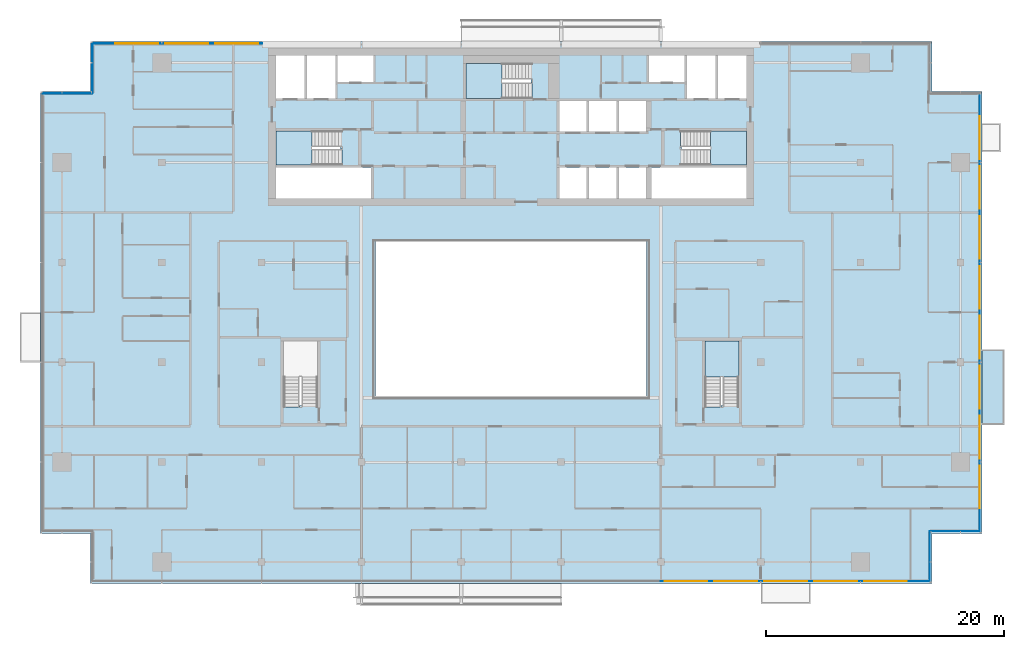
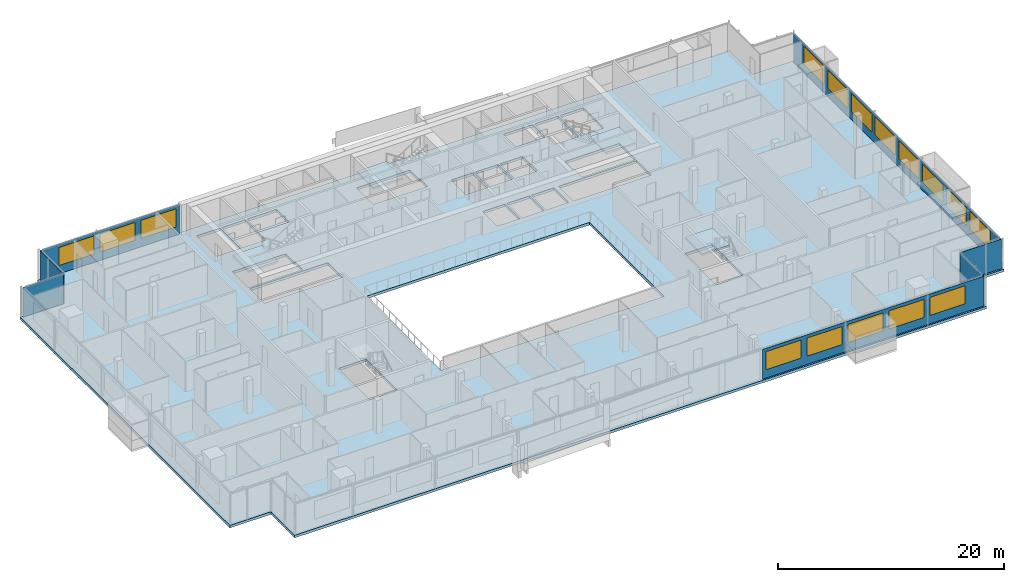
# One storey, part 15 of 26: 16 windows, 7 plates, 6 slabs, 16 openings, 11 elements without a shape of their own.
"""IFC4 building model written with IfcOpenShell, lengths in metres."""

from ifc_helpers import new_model, si_unit, direction, frame, frame_2d, origin, place, context, subcontext, project, spatial, polyline, rectangle, outline, extrude, material, layer, layer_set, type_object, element, fill, aggregate, save


model = new_model("IFC4")

# Units and contexts
model_context = context("Model", 3, precision=1e-05, world=origin(), true_north=direction((0.0, 1.0)))
body_context = subcontext(model_context, "Body", "Model", "MODEL_VIEW")
ifc_project = project(units=[si_unit("LENGTHUNIT", "METRE"), si_unit("AREAUNIT", "SQUARE_METRE"), si_unit("VOLUMEUNIT", "CUBIC_METRE"), si_unit("PLANEANGLEUNIT", "RADIAN"), si_unit("MASSUNIT", "GRAM", prefix="KILO")], contexts=[model_context])

# Site, building, storey
site_placement = place(None, origin())
site = spatial("IfcSite", under=ifc_project, at=site_placement, CompositionType="ELEMENT")
building_placement = place(site_placement, origin())
building = spatial("IfcBuilding", under=site, at=building_placement, Name="Saffron Gate Tower", CompositionType="ELEMENT")
storey_placement = place(building_placement, frame((0.0, 0.0, 230.699951171875)))
storey = spatial("IfcBuildingStorey", under=building, at=storey_placement, Name="L56", CompositionType="ELEMENT", Elevation=230.699951171875)

# Curtain wall, plate, openings, windows
ifc_material_1 = material(Name="Aluminium, bronze anodised", Category="aluminium")
curtain_wall_type_1 = type_object("IfcCurtainWallType", Name="CWS1 curtain wall front facade", PredefinedType="NOTDEFINED", material=ifc_material_1)
curtain_wall_1_placement = place(storey_placement, origin())
curtain_wall_1 = element("IfcCurtainWall", 1, at=curtain_wall_1_placement, inside=storey, type_object=curtain_wall_type_1, Name="CWS1 run 1", PredefinedType="NOTDEFINED")
ifc_material_2 = material(Name="Fritted bronze-tinted laminated glass", Category="glass")
ifc_layer_1 = layer(ifc_material_2, 0.028076171875)
ifc_layer_set_1 = layer_set([ifc_layer_1], Name="CWS1 fixed glass")
plate_type_1 = type_object("IfcPlateType", Name="CWS1 fixed glass", PredefinedType="CURTAIN_PANEL", material=ifc_layer_set_1)
plate_1_placement = place(storey_placement, frame((100.169921875, 30.174072265625, 0.0), z_axis=(0.0, 0.0, 1.0), x_axis=(1.0, 0.0, 0.0)))
plate_1 = element("IfcPlate", 2, at=plate_1_placement, type_object=plate_type_1, Name="CWS1 glass panel", PredefinedType="CURTAIN_PANEL", context=body_context, shape_type="SweptSolid", body=[
    extrude(rectangle(XDim=22.64208984375, YDim=0.028076171875, at=frame_2d((11.321044921875, 0.0))), origin(), (0.0, 0.0, 1.0), 3.199951171875),
])
opening_1_placement = place(plate_1_placement, frame((0.330078125, 0.0, 0.89990234375)))
opening_1 = element("IfcOpeningElement", 3, at=opening_1_placement, cuts=plate_1, Name="Opening W1", PredefinedType="OPENING", context=body_context, shape_type="SweptSolid", body=[
    extrude(rectangle(XDim=3.60009765625, YDim=1.949951171875, at=frame_2d((1.800048828125, 0.97509765625))), frame((0.0, 0.02392578125, 0.0), z_axis=(0.0, -1.0, 0.0), x_axis=(1.0, 0.0, 0.0)), (0.0, 0.0, 1.0), 0.048095703125),
])
opening_2_placement = place(plate_1_placement, frame((4.530029296875, 0.0, 0.89990234375)))
opening_2 = element("IfcOpeningElement", 4, at=opening_2_placement, cuts=plate_1, Name="Opening W1", PredefinedType="OPENING", context=body_context, shape_type="SweptSolid", body=[
    extrude(rectangle(XDim=3.60009765625, YDim=1.949951171875, at=frame_2d((1.800048828125, 0.97509765625))), frame((0.0, 0.02392578125, 0.0), z_axis=(0.0, -1.0, 0.0), x_axis=(1.0, 0.0, 0.0)), (0.0, 0.0, 1.0), 0.048095703125),
])
opening_3_placement = place(plate_1_placement, frame((8.72998046875, 0.0, 0.89990234375)))
opening_3 = element("IfcOpeningElement", 5, at=opening_3_placement, cuts=plate_1, Name="Opening W1", PredefinedType="OPENING", context=body_context, shape_type="SweptSolid", body=[
    extrude(rectangle(XDim=3.60009765625, YDim=1.949951171875, at=frame_2d((1.800048828125, 0.97509765625))), frame((0.0, 0.02392578125, 0.0), z_axis=(0.0, -1.0, 0.0), x_axis=(1.0, 0.0, 0.0)), (0.0, 0.0, 1.0), 0.048095703125),
])
opening_4_placement = place(plate_1_placement, frame((12.929931640625, 0.0, 0.89990234375)))
opening_4 = element("IfcOpeningElement", 6, at=opening_4_placement, cuts=plate_1, Name="Opening W1", PredefinedType="OPENING", context=body_context, shape_type="SweptSolid", body=[
    extrude(rectangle(XDim=3.60009765625, YDim=1.949951171875, at=frame_2d((1.800048828125, 0.97509765625))), frame((0.0, 0.02392578125, 0.0), z_axis=(0.0, -1.0, 0.0), x_axis=(1.0, 0.0, 0.0)), (0.0, 0.0, 1.0), 0.048095703125),
])
opening_5_placement = place(plate_1_placement, frame((17.1298828125, 0.0, 0.89990234375)))
opening_5 = element("IfcOpeningElement", 7, at=opening_5_placement, cuts=plate_1, Name="Opening W1", PredefinedType="OPENING", context=body_context, shape_type="SweptSolid", body=[
    extrude(rectangle(XDim=3.60009765625, YDim=1.949951171875, at=frame_2d((1.800048828125, 0.97509765625))), frame((0.0, 0.02392578125, 0.0), z_axis=(0.0, -1.0, 0.0), x_axis=(1.0, 0.0, 0.0)), (0.0, 0.0, 1.0), 0.048095703125),
])
ifc_material_3 = material(Name="Fritted bronze-tinted laminated glass in bronze frame", Category="glass")
ifc_layer_2 = layer(ifc_material_3, 0.06005859375)
ifc_layer_set_2 = layer_set([ifc_layer_2], Name="W1 operable panel 3600x1950")
window_type = type_object("IfcWindowType", Name="W1 operable panel 3600x1950", PartitioningType="DOUBLE_PANEL_HORIZONTAL", PredefinedType="WINDOW", material=ifc_layer_set_2)
window_1_placement = place(opening_1_placement, origin())
window_1 = element("IfcWindow", 8, at=window_1_placement, type_object=window_type, Name="W1 operable panel", OverallHeight=1.949951171875, OverallWidth=3.60009765625, PartitioningType="SINGLE_PANEL", PredefinedType="WINDOW", context=body_context, shape_type="SweptSolid", body=[
    extrude(rectangle(XDim=3.60009765625, YDim=1.949951171875, at=frame_2d((1.800048828125, 0.97509765625))), frame((0.0, 0.013671875, 0.0), z_axis=(0.0, -1.0, 0.0), x_axis=(1.0, 0.0, 0.0)), (0.0, 0.0, 1.0), 0.027587890625),
])
fill(opening_1, window_1)
window_2_placement = place(opening_2_placement, origin())
window_2 = element("IfcWindow", 9, at=window_2_placement, type_object=window_type, Name="W1 operable panel", OverallHeight=1.949951171875, OverallWidth=3.60009765625, PartitioningType="SINGLE_PANEL", PredefinedType="WINDOW", context=body_context, shape_type="SweptSolid", body=[
    extrude(rectangle(XDim=3.60009765625, YDim=1.949951171875, at=frame_2d((1.800048828125, 0.97509765625))), frame((0.0, 0.013671875, 0.0), z_axis=(0.0, -1.0, 0.0), x_axis=(1.0, 0.0, 0.0)), (0.0, 0.0, 1.0), 0.027587890625),
])
fill(opening_2, window_2)
window_3_placement = place(opening_3_placement, origin())
window_3 = element("IfcWindow", 10, at=window_3_placement, type_object=window_type, Name="W1 operable panel", OverallHeight=1.949951171875, OverallWidth=3.60009765625, PartitioningType="SINGLE_PANEL", PredefinedType="WINDOW", context=body_context, shape_type="SweptSolid", body=[
    extrude(rectangle(XDim=3.60009765625, YDim=1.949951171875, at=frame_2d((1.800048828125, 0.97509765625))), frame((0.0, 0.013671875, 0.0), z_axis=(0.0, -1.0, 0.0), x_axis=(1.0, 0.0, 0.0)), (0.0, 0.0, 1.0), 0.027587890625),
])
fill(opening_3, window_3)
window_4_placement = place(opening_4_placement, origin())
window_4 = element("IfcWindow", 11, at=window_4_placement, type_object=window_type, Name="W1 operable panel", OverallHeight=1.949951171875, OverallWidth=3.60009765625, PartitioningType="SINGLE_PANEL", PredefinedType="WINDOW", context=body_context, shape_type="SweptSolid", body=[
    extrude(rectangle(XDim=3.60009765625, YDim=1.949951171875, at=frame_2d((1.800048828125, 0.97509765625))), frame((0.0, 0.013671875, 0.0), z_axis=(0.0, -1.0, 0.0), x_axis=(1.0, 0.0, 0.0)), (0.0, 0.0, 1.0), 0.027587890625),
])
fill(opening_4, window_4)
window_5_placement = place(opening_5_placement, origin())
window_5 = element("IfcWindow", 12, at=window_5_placement, type_object=window_type, Name="W1 operable panel", OverallHeight=1.949951171875, OverallWidth=3.60009765625, PartitioningType="SINGLE_PANEL", PredefinedType="WINDOW", context=body_context, shape_type="SweptSolid", body=[
    extrude(rectangle(XDim=3.60009765625, YDim=1.949951171875, at=frame_2d((1.800048828125, 0.97509765625))), frame((0.0, 0.013671875, 0.0), z_axis=(0.0, -1.0, 0.0), x_axis=(1.0, 0.0, 0.0)), (0.0, 0.0, 1.0), 0.027587890625),
])
fill(opening_5, window_5)
aggregate(curtain_wall_1, [plate_1, window_1, window_2, window_3, window_4, window_5])

curtain_wall_type_2 = type_object("IfcCurtainWallType", Name="CWS2 curtain wall side facades", PredefinedType="NOTDEFINED", material=ifc_material_1)
curtain_wall_2_placement = place(storey_placement, origin())
curtain_wall_2 = element("IfcCurtainWall", 13, at=curtain_wall_2_placement, inside=storey, type_object=curtain_wall_type_2, Name="CWS2 run 4", PredefinedType="NOTDEFINED")
ifc_layer_3 = layer(ifc_material_2, 0.028076171875)
ifc_layer_set_3 = layer_set([ifc_layer_3], Name="CWS2 fixed glass")
plate_type_2 = type_object("IfcPlateType", Name="CWS2 fixed glass", PredefinedType="CURTAIN_PANEL", material=ifc_layer_set_3)
plate_2_placement = place(storey_placement, frame((127.02587890625, 34.387939453125, 0.0), z_axis=(0.0, 0.0, 1.0), x_axis=(0.0, 1.0, 0.0)))
plate_2 = element("IfcPlate", 14, at=plate_2_placement, type_object=plate_type_2, Name="CWS2 glass panel", PredefinedType="CURTAIN_PANEL", context=body_context, shape_type="SweptSolid", body=[
    extrude(rectangle(XDim=36.823974609375, YDim=0.028076171875, at=frame_2d((18.412109375, 0.0))), origin(), (0.0, 0.0, 1.0), 3.199951171875),
])
opening_6_placement = place(plate_2_placement, frame((1.912109375, 0.0, 0.89990234375)))
opening_6 = element("IfcOpeningElement", 15, at=opening_6_placement, cuts=plate_2, Name="Opening W1", PredefinedType="OPENING", context=body_context, shape_type="SweptSolid", body=[
    extrude(rectangle(XDim=3.60009765625, YDim=1.949951171875, at=frame_2d((1.800048828125, 0.97509765625))), frame((0.0, 0.02392578125, 0.0), z_axis=(0.0, -1.0, 0.0), x_axis=(1.0, 0.0, 0.0)), (0.0, 0.0, 1.0), 0.048095703125),
])
opening_7_placement = place(plate_2_placement, frame((6.112060546875, 0.0, 0.89990234375)))
opening_7 = element("IfcOpeningElement", 16, at=opening_7_placement, cuts=plate_2, Name="Opening W1", PredefinedType="OPENING", context=body_context, shape_type="SweptSolid", body=[
    extrude(rectangle(XDim=3.60009765625, YDim=1.949951171875, at=frame_2d((1.800048828125, 0.97509765625))), frame((0.0, 0.02392578125, 0.0), z_axis=(0.0, -1.0, 0.0), x_axis=(1.0, 0.0, 0.0)), (0.0, 0.0, 1.0), 0.048095703125),
])
opening_8_placement = place(plate_2_placement, frame((10.31201171875, 0.0, 0.89990234375)))
opening_8 = element("IfcOpeningElement", 17, at=opening_8_placement, cuts=plate_2, Name="Opening W1", PredefinedType="OPENING", context=body_context, shape_type="SweptSolid", body=[
    extrude(rectangle(XDim=3.60009765625, YDim=1.949951171875, at=frame_2d((1.800048828125, 0.97509765625))), frame((0.0, 0.02392578125, 0.0), z_axis=(0.0, -1.0, 0.0), x_axis=(1.0, 0.0, 0.0)), (0.0, 0.0, 1.0), 0.048095703125),
])
opening_9_placement = place(plate_2_placement, frame((14.511962890625, 0.0, 0.89990234375)))
opening_9 = element("IfcOpeningElement", 18, at=opening_9_placement, cuts=plate_2, Name="Opening W1", PredefinedType="OPENING", context=body_context, shape_type="SweptSolid", body=[
    extrude(rectangle(XDim=3.60009765625, YDim=1.949951171875, at=frame_2d((1.800048828125, 0.97509765625))), frame((0.0, 0.02392578125, 0.0), z_axis=(0.0, -1.0, 0.0), x_axis=(1.0, 0.0, 0.0)), (0.0, 0.0, 1.0), 0.048095703125),
])
opening_10_placement = place(plate_2_placement, frame((18.7119140625, 0.0, 0.89990234375)))
opening_10 = element("IfcOpeningElement", 19, at=opening_10_placement, cuts=plate_2, Name="Opening W1", PredefinedType="OPENING", context=body_context, shape_type="SweptSolid", body=[
    extrude(rectangle(XDim=3.60009765625, YDim=1.949951171875, at=frame_2d((1.800048828125, 0.97509765625))), frame((0.0, 0.02392578125, 0.0), z_axis=(0.0, -1.0, 0.0), x_axis=(1.0, 0.0, 0.0)), (0.0, 0.0, 1.0), 0.048095703125),
])
opening_11_placement = place(plate_2_placement, frame((22.912109375, 0.0, 0.89990234375)))
opening_11 = element("IfcOpeningElement", 20, at=opening_11_placement, cuts=plate_2, Name="Opening W1", PredefinedType="OPENING", context=body_context, shape_type="SweptSolid", body=[
    extrude(rectangle(XDim=3.60009765625, YDim=1.949951171875, at=frame_2d((1.800048828125, 0.97509765625))), frame((0.0, 0.02392578125, 0.0), z_axis=(0.0, -1.0, 0.0), x_axis=(1.0, 0.0, 0.0)), (0.0, 0.0, 1.0), 0.048095703125),
])
opening_12_placement = place(plate_2_placement, frame((27.112060546875, 0.0, 0.89990234375)))
opening_12 = element("IfcOpeningElement", 21, at=opening_12_placement, cuts=plate_2, Name="Opening W1", PredefinedType="OPENING", context=body_context, shape_type="SweptSolid", body=[
    extrude(rectangle(XDim=3.60009765625, YDim=1.949951171875, at=frame_2d((1.800048828125, 0.97509765625))), frame((0.0, 0.02392578125, 0.0), z_axis=(0.0, -1.0, 0.0), x_axis=(1.0, 0.0, 0.0)), (0.0, 0.0, 1.0), 0.048095703125),
])
opening_13_placement = place(plate_2_placement, frame((31.31201171875, 0.0, 0.89990234375)))
opening_13 = element("IfcOpeningElement", 22, at=opening_13_placement, cuts=plate_2, Name="Opening W1", PredefinedType="OPENING", context=body_context, shape_type="SweptSolid", body=[
    extrude(rectangle(XDim=3.60009765625, YDim=1.949951171875, at=frame_2d((1.800048828125, 0.97509765625))), frame((0.0, 0.02392578125, 0.0), z_axis=(0.0, -1.0, 0.0), x_axis=(1.0, 0.0, 0.0)), (0.0, 0.0, 1.0), 0.048095703125),
])
window_6_placement = place(opening_6_placement, origin())
window_6 = element("IfcWindow", 23, at=window_6_placement, type_object=window_type, Name="W1 operable panel", OverallHeight=1.949951171875, OverallWidth=3.60009765625, PartitioningType="SINGLE_PANEL", PredefinedType="WINDOW", context=body_context, shape_type="SweptSolid", body=[
    extrude(rectangle(XDim=3.60009765625, YDim=1.949951171875, at=frame_2d((1.800048828125, 0.97509765625))), frame((0.0, 0.013671875, 0.0), z_axis=(0.0, -1.0, 0.0), x_axis=(1.0, 0.0, 0.0)), (0.0, 0.0, 1.0), 0.027587890625),
])
fill(opening_6, window_6)
window_7_placement = place(opening_7_placement, origin())
window_7 = element("IfcWindow", 24, at=window_7_placement, type_object=window_type, Name="W1 operable panel", OverallHeight=1.949951171875, OverallWidth=3.60009765625, PartitioningType="SINGLE_PANEL", PredefinedType="WINDOW", context=body_context, shape_type="SweptSolid", body=[
    extrude(rectangle(XDim=3.60009765625, YDim=1.949951171875, at=frame_2d((1.800048828125, 0.97509765625))), frame((0.0, 0.013671875, 0.0), z_axis=(0.0, -1.0, 0.0), x_axis=(1.0, 0.0, 0.0)), (0.0, 0.0, 1.0), 0.027587890625),
])
fill(opening_7, window_7)
window_8_placement = place(opening_8_placement, origin())
window_8 = element("IfcWindow", 25, at=window_8_placement, type_object=window_type, Name="W1 operable panel", OverallHeight=1.949951171875, OverallWidth=3.60009765625, PartitioningType="SINGLE_PANEL", PredefinedType="WINDOW", context=body_context, shape_type="SweptSolid", body=[
    extrude(rectangle(XDim=3.60009765625, YDim=1.949951171875, at=frame_2d((1.800048828125, 0.97509765625))), frame((0.0, 0.013671875, 0.0), z_axis=(0.0, -1.0, 0.0), x_axis=(1.0, 0.0, 0.0)), (0.0, 0.0, 1.0), 0.027587890625),
])
fill(opening_8, window_8)
window_9_placement = place(opening_9_placement, origin())
window_9 = element("IfcWindow", 26, at=window_9_placement, type_object=window_type, Name="W1 operable panel", OverallHeight=1.949951171875, OverallWidth=3.60009765625, PartitioningType="SINGLE_PANEL", PredefinedType="WINDOW", context=body_context, shape_type="SweptSolid", body=[
    extrude(rectangle(XDim=3.60009765625, YDim=1.949951171875, at=frame_2d((1.800048828125, 0.97509765625))), frame((0.0, 0.013671875, 0.0), z_axis=(0.0, -1.0, 0.0), x_axis=(1.0, 0.0, 0.0)), (0.0, 0.0, 1.0), 0.027587890625),
])
fill(opening_9, window_9)
window_10_placement = place(opening_10_placement, origin())
window_10 = element("IfcWindow", 27, at=window_10_placement, type_object=window_type, Name="W1 operable panel", OverallHeight=1.949951171875, OverallWidth=3.60009765625, PartitioningType="SINGLE_PANEL", PredefinedType="WINDOW", context=body_context, shape_type="SweptSolid", body=[
    extrude(rectangle(XDim=3.60009765625, YDim=1.949951171875, at=frame_2d((1.800048828125, 0.97509765625))), frame((0.0, 0.013671875, 0.0), z_axis=(0.0, -1.0, 0.0), x_axis=(1.0, 0.0, 0.0)), (0.0, 0.0, 1.0), 0.027587890625),
])
fill(opening_10, window_10)
window_11_placement = place(opening_11_placement, origin())
window_11 = element("IfcWindow", 28, at=window_11_placement, type_object=window_type, Name="W1 operable panel", OverallHeight=1.949951171875, OverallWidth=3.60009765625, PartitioningType="SINGLE_PANEL", PredefinedType="WINDOW", context=body_context, shape_type="SweptSolid", body=[
    extrude(rectangle(XDim=3.60009765625, YDim=1.949951171875, at=frame_2d((1.800048828125, 0.97509765625))), frame((0.0, 0.013671875, 0.0), z_axis=(0.0, -1.0, 0.0), x_axis=(1.0, 0.0, 0.0)), (0.0, 0.0, 1.0), 0.027587890625),
])
fill(opening_11, window_11)
window_12_placement = place(opening_12_placement, origin())
window_12 = element("IfcWindow", 29, at=window_12_placement, type_object=window_type, Name="W1 operable panel", OverallHeight=1.949951171875, OverallWidth=3.60009765625, PartitioningType="SINGLE_PANEL", PredefinedType="WINDOW", context=body_context, shape_type="SweptSolid", body=[
    extrude(rectangle(XDim=3.60009765625, YDim=1.949951171875, at=frame_2d((1.800048828125, 0.97509765625))), frame((0.0, 0.013671875, 0.0), z_axis=(0.0, -1.0, 0.0), x_axis=(1.0, 0.0, 0.0)), (0.0, 0.0, 1.0), 0.027587890625),
])
fill(opening_12, window_12)
window_13_placement = place(opening_13_placement, origin())
window_13 = element("IfcWindow", 30, at=window_13_placement, type_object=window_type, Name="W1 operable panel", OverallHeight=1.949951171875, OverallWidth=3.60009765625, PartitioningType="SINGLE_PANEL", PredefinedType="WINDOW", context=body_context, shape_type="SweptSolid", body=[
    extrude(rectangle(XDim=3.60009765625, YDim=1.949951171875, at=frame_2d((1.800048828125, 0.97509765625))), frame((0.0, 0.013671875, 0.0), z_axis=(0.0, -1.0, 0.0), x_axis=(1.0, 0.0, 0.0)), (0.0, 0.0, 1.0), 0.027587890625),
])
fill(opening_13, window_13)
aggregate(curtain_wall_2, [plate_2, window_6, window_7, window_8, window_9, window_10, window_11, window_12, window_13])

curtain_wall_type_3 = type_object("IfcCurtainWallType", Name="CWS3 curtain wall rear facade", PredefinedType="NOTDEFINED", material=ifc_material_1)
curtain_wall_3_placement = place(storey_placement, origin())
curtain_wall_3 = element("IfcCurtainWall", 31, at=curtain_wall_3_placement, inside=storey, type_object=curtain_wall_type_3, Name="CWS3 run 7", PredefinedType="NOTDEFINED")
ifc_material_4 = material(Name="Fritted grey-tinted laminated glass", Category="glass")
ifc_layer_4 = layer(ifc_material_4, 0.028076171875)
ifc_layer_set_4 = layer_set([ifc_layer_4], Name="CWS3 fixed glass")
plate_type_3 = type_object("IfcPlateType", Name="CWS3 fixed glass", PredefinedType="CURTAIN_PANEL", material=ifc_layer_set_4)
plate_3_placement = place(storey_placement, frame((66.635009765625, 75.426025390625, 0.0), z_axis=(0.0, 0.0, 1.0), x_axis=(-1.0, 0.0, 0.0)))
plate_3 = element("IfcPlate", 32, at=plate_3_placement, type_object=plate_type_3, Name="CWS3 glass panel", PredefinedType="CURTAIN_PANEL", context=body_context, shape_type="SweptSolid", body=[
    extrude(rectangle(XDim=14.2470703125, YDim=0.028076171875, at=frame_2d((7.12353515625, 0.0))), origin(), (0.0, 0.0, 1.0), 3.199951171875),
])
opening_14_placement = place(plate_3_placement, frame((0.3349609375, 0.0, 0.89990234375)))
opening_14 = element("IfcOpeningElement", 33, at=opening_14_placement, cuts=plate_3, Name="Opening W1", PredefinedType="OPENING", context=body_context, shape_type="SweptSolid", body=[
    extrude(rectangle(XDim=3.60009765625, YDim=1.949951171875, at=frame_2d((1.800048828125, 0.97509765625))), frame((0.0, 0.02392578125, 0.0), z_axis=(0.0, -1.0, 0.0), x_axis=(1.0, 0.0, 0.0)), (0.0, 0.0, 1.0), 0.048095703125),
])
opening_15_placement = place(plate_3_placement, frame((4.534912109375, 0.0, 0.89990234375)))
opening_15 = element("IfcOpeningElement", 34, at=opening_15_placement, cuts=plate_3, Name="Opening W1", PredefinedType="OPENING", context=body_context, shape_type="SweptSolid", body=[
    extrude(rectangle(XDim=3.60009765625, YDim=1.949951171875, at=frame_2d((1.800048828125, 0.97509765625))), frame((0.0, 0.02392578125, 0.0), z_axis=(0.0, -1.0, 0.0), x_axis=(1.0, 0.0, 0.0)), (0.0, 0.0, 1.0), 0.048095703125),
])
opening_16_placement = place(plate_3_placement, frame((8.735107421875, 0.0, 0.89990234375)))
opening_16 = element("IfcOpeningElement", 35, at=opening_16_placement, cuts=plate_3, Name="Opening W1", PredefinedType="OPENING", context=body_context, shape_type="SweptSolid", body=[
    extrude(rectangle(XDim=3.60009765625, YDim=1.949951171875, at=frame_2d((1.800048828125, 0.97509765625))), frame((0.0, 0.02392578125, 0.0), z_axis=(0.0, -1.0, 0.0), x_axis=(1.0, 0.0, 0.0)), (0.0, 0.0, 1.0), 0.048095703125),
])
window_14_placement = place(opening_14_placement, origin())
window_14 = element("IfcWindow", 36, at=window_14_placement, type_object=window_type, Name="W1 operable panel", OverallHeight=1.949951171875, OverallWidth=3.60009765625, PartitioningType="SINGLE_PANEL", PredefinedType="WINDOW", context=body_context, shape_type="SweptSolid", body=[
    extrude(rectangle(XDim=3.60009765625, YDim=1.949951171875, at=frame_2d((1.800048828125, 0.97509765625))), frame((0.0, 0.013671875, 0.0), z_axis=(0.0, -1.0, 0.0), x_axis=(1.0, 0.0, 0.0)), (0.0, 0.0, 1.0), 0.027587890625),
])
fill(opening_14, window_14)
window_15_placement = place(opening_15_placement, origin())
window_15 = element("IfcWindow", 37, at=window_15_placement, type_object=window_type, Name="W1 operable panel", OverallHeight=1.949951171875, OverallWidth=3.60009765625, PartitioningType="SINGLE_PANEL", PredefinedType="WINDOW", context=body_context, shape_type="SweptSolid", body=[
    extrude(rectangle(XDim=3.60009765625, YDim=1.949951171875, at=frame_2d((1.800048828125, 0.97509765625))), frame((0.0, 0.013671875, 0.0), z_axis=(0.0, -1.0, 0.0), x_axis=(1.0, 0.0, 0.0)), (0.0, 0.0, 1.0), 0.027587890625),
])
fill(opening_15, window_15)
window_16_placement = place(opening_16_placement, origin())
window_16 = element("IfcWindow", 38, at=window_16_placement, type_object=window_type, Name="W1 operable panel", OverallHeight=1.949951171875, OverallWidth=3.60009765625, PartitioningType="SINGLE_PANEL", PredefinedType="WINDOW", context=body_context, shape_type="SweptSolid", body=[
    extrude(rectangle(XDim=3.60009765625, YDim=1.949951171875, at=frame_2d((1.800048828125, 0.97509765625))), frame((0.0, 0.013671875, 0.0), z_axis=(0.0, -1.0, 0.0), x_axis=(1.0, 0.0, 0.0)), (0.0, 0.0, 1.0), 0.027587890625),
])
fill(opening_16, window_16)
aggregate(curtain_wall_3, [plate_3, window_14, window_15, window_16])

# Curtain wall, plate
curtain_wall_type_4 = type_object("IfcCurtainWallType", Name="CWS4 curtain wall corner returns", PredefinedType="NOTDEFINED", material=ifc_material_1)
curtain_wall_4_placement = place(storey_placement, origin())
curtain_wall_4 = element("IfcCurtainWall", 39, at=curtain_wall_4_placement, inside=storey, type_object=curtain_wall_type_4, Name="CWS4 run 2", PredefinedType="NOTDEFINED")
ifc_layer_5 = layer(ifc_material_2, 0.028076171875)
ifc_layer_set_5 = layer_set([ifc_layer_5], Name="CWS4 fixed glass")
plate_type_4 = type_object("IfcPlateType", Name="CWS4 fixed glass", PredefinedType="CURTAIN_PANEL", material=ifc_layer_set_5)
plate_4_placement = place(storey_placement, frame((122.825927734375, 30.18798828125, 0.0), z_axis=(0.0, 0.0, 1.0), x_axis=(0.0, 1.0, 0.0)))
plate_4 = element("IfcPlate", 40, at=plate_4_placement, type_object=plate_type_4, Name="CWS4 glass panel", PredefinedType="CURTAIN_PANEL", context=body_context, shape_type="SweptSolid", body=[
    extrude(rectangle(XDim=4.172119140625, YDim=0.028076171875, at=frame_2d((2.0859375, 0.0))), origin(), (0.0, 0.0, 1.0), 3.199951171875),
])
aggregate(curtain_wall_4, [plate_4])

curtain_wall_5_placement = place(storey_placement, origin())
curtain_wall_5 = element("IfcCurtainWall", 41, at=curtain_wall_5_placement, inside=storey, type_object=curtain_wall_type_4, Name="CWS4 run 3", PredefinedType="NOTDEFINED")
plate_5_placement = place(storey_placement, frame((122.840087890625, 34.3740234375, 0.0), z_axis=(0.0, 0.0, 1.0), x_axis=(1.0, 0.0, 0.0)))
plate_5 = element("IfcPlate", 42, at=plate_5_placement, type_object=plate_type_4, Name="CWS4 glass panel", PredefinedType="CURTAIN_PANEL", context=body_context, shape_type="SweptSolid", body=[
    extrude(rectangle(XDim=4.171875, YDim=0.028076171875, at=frame_2d((2.0859375, 0.0))), origin(), (0.0, 0.0, 1.0), 3.199951171875),
])
aggregate(curtain_wall_5, [plate_5])

curtain_wall_6_placement = place(storey_placement, origin())
curtain_wall_6 = element("IfcCurtainWall", 43, at=curtain_wall_6_placement, inside=storey, type_object=curtain_wall_type_4, Name="CWS4 run 8", PredefinedType="NOTDEFINED")
plate_6_placement = place(storey_placement, frame((52.3740234375, 75.412109375, 0.0), z_axis=(0.0, 0.0, 1.0), x_axis=(0.0, -1.0, 0.0)))
plate_6 = element("IfcPlate", 44, at=plate_6_placement, type_object=plate_type_4, Name="CWS4 glass panel", PredefinedType="CURTAIN_PANEL", context=body_context, shape_type="SweptSolid", body=[
    extrude(rectangle(XDim=4.172119140625, YDim=0.028076171875, at=frame_2d((2.0859375, 0.0))), origin(), (0.0, 0.0, 1.0), 3.199951171875),
])
aggregate(curtain_wall_6, [plate_6])

curtain_wall_7_placement = place(storey_placement, origin())
curtain_wall_7 = element("IfcCurtainWall", 45, at=curtain_wall_7_placement, inside=storey, type_object=curtain_wall_type_4, Name="CWS4 run 9", PredefinedType="NOTDEFINED")
plate_7_placement = place(storey_placement, frame((52.360107421875, 71.22607421875, 0.0), z_axis=(0.0, 0.0, 1.0), x_axis=(-1.0, 0.0, 0.0)))
plate_7 = element("IfcPlate", 46, at=plate_7_placement, type_object=plate_type_4, Name="CWS4 glass panel", PredefinedType="CURTAIN_PANEL", context=body_context, shape_type="SweptSolid", body=[
    extrude(rectangle(XDim=4.172119140625, YDim=0.028076171875, at=frame_2d((2.0859375, 0.0))), origin(), (0.0, 0.0, 1.0), 3.199951171875),
])
aggregate(curtain_wall_7, [plate_7])

# Slab
ifc_material_5 = material(Name="Concrete C40", Category="concrete")
ifc_layer_6 = layer(ifc_material_5, 0.280029296875)
ifc_layer_set_6 = layer_set([ifc_layer_6], Name="S2 FLOOR SLAB 280 CONCRETE C40")
slab_type_1 = type_object("IfcSlabType", Name="S2 FLOOR SLAB 280 CONCRETE C40", PredefinedType="FLOOR", material=ifc_layer_set_6)
slab_1_placement = place(storey_placement, frame((0.0, 0.0, -0.280029296875)))
element("IfcSlab", 47, at=slab_1_placement, inside=storey, type_object=slab_type_1, Name="S2 FLOOR SLAB", PredefinedType="FLOOR", context=body_context, shape_type="SweptSolid", body=[
    extrude(outline(polyline([(48.0, 34.199951171875), (52.199951171875, 34.199951171875), (52.199951171875, 30.0), (123.0, 30.0), (123.0, 34.199951171875), (127.199951171875, 34.199951171875), (127.199951171875, 71.39990234375), (123.0, 71.39990234375), (123.0, 75.60009765625), (52.199951171875, 75.60009765625), (52.199951171875, 71.39990234375), (48.0, 71.39990234375), (48.0, 34.199951171875)]), holes=[polyline([(67.800048828125, 62.39990234375), (67.800048828125, 65.0), (75.800048828125, 65.0), (75.800048828125, 62.39990234375), (67.800048828125, 62.39990234375)]), polyline([(67.800048828125, 65.199951171875), (67.800048828125, 68.050048828125), (73.25, 68.050048828125), (73.25, 66.550048828125), (73.34912109375, 66.550048828125), (73.34912109375, 65.199951171875), (67.800048828125, 65.199951171875)]), polyline([(67.800048828125, 70.800048828125), (67.800048828125, 74.39990234375), (70.199951171875, 74.39990234375), (70.199951171875, 70.800048828125), (67.800048828125, 70.800048828125)]), polyline([(68.449951171875, 44.85107421875), (68.449951171875, 50.39990234375), (71.300048828125, 50.39990234375), (71.300048828125, 44.949951171875), (69.800048828125, 44.949951171875), (69.800048828125, 44.85107421875), (68.449951171875, 44.85107421875)]), polyline([(70.39990234375, 70.800048828125), (70.39990234375, 74.39990234375), (72.800048828125, 74.39990234375), (72.800048828125, 70.800048828125), (70.39990234375, 70.800048828125)]), polyline([(73.0, 72.199951171875), (73.0, 74.39990234375), (76.0, 74.39990234375), (76.0, 72.199951171875), (73.0, 72.199951171875)]), polyline([(76.199951171875, 45.60009765625), (76.199951171875, 58.800048828125), (99.0, 58.800048828125), (99.0, 45.60009765625), (76.199951171875, 45.60009765625)]), polyline([(83.800048828125, 70.800048828125), (83.800048828125, 73.75), (89.25, 73.75), (89.25, 72.14990234375), (89.34912109375, 72.14990234375), (89.34912109375, 70.800048828125), (83.800048828125, 70.800048828125)]), polyline([(91.64990234375, 62.39990234375), (91.64990234375, 65.0), (93.949951171875, 65.0), (93.949951171875, 62.39990234375), (91.64990234375, 62.39990234375)]), polyline([(91.64990234375, 68.0), (91.64990234375, 70.60009765625), (93.949951171875, 70.60009765625), (93.949951171875, 68.0), (91.64990234375, 68.0)]), polyline([(94.14990234375, 62.39990234375), (94.14990234375, 65.0), (96.449951171875, 65.0), (96.449951171875, 62.39990234375), (94.14990234375, 62.39990234375)]), polyline([(94.14990234375, 68.0), (94.14990234375, 70.60009765625), (96.449951171875, 70.60009765625), (96.449951171875, 68.0), (94.14990234375, 68.0)]), polyline([(96.64990234375, 62.39990234375), (96.64990234375, 65.0), (98.949951171875, 65.0), (98.949951171875, 62.39990234375), (96.64990234375, 62.39990234375)]), polyline([(96.64990234375, 68.0), (96.64990234375, 70.60009765625), (98.949951171875, 70.60009765625), (98.949951171875, 68.0), (96.64990234375, 68.0)]), polyline([(99.199951171875, 72.199951171875), (99.199951171875, 74.39990234375), (102.199951171875, 74.39990234375), (102.199951171875, 72.199951171875), (99.199951171875, 72.199951171875)]), polyline([(99.39990234375, 62.39990234375), (99.39990234375, 65.0), (107.39990234375, 65.0), (107.39990234375, 62.39990234375), (99.39990234375, 62.39990234375)]), polyline([(101.85107421875, 66.699951171875), (101.85107421875, 68.050048828125), (107.39990234375, 68.050048828125), (107.39990234375, 65.199951171875), (101.949951171875, 65.199951171875), (101.949951171875, 66.699951171875), (101.85107421875, 66.699951171875)]), polyline([(102.39990234375, 70.800048828125), (102.39990234375, 74.39990234375), (104.800048828125, 74.39990234375), (104.800048828125, 70.800048828125), (102.39990234375, 70.800048828125)]), polyline([(103.89990234375, 44.85107421875), (103.89990234375, 50.39990234375), (106.75, 50.39990234375), (106.75, 44.949951171875), (105.25, 44.949951171875), (105.25, 44.85107421875), (103.89990234375, 44.85107421875)]), polyline([(105.0, 70.800048828125), (105.0, 74.39990234375), (107.39990234375, 74.39990234375), (107.39990234375, 70.800048828125), (105.0, 70.800048828125)])]), origin(), (0.0, 0.0, 1.0), 0.280029296875),
])

# Stair, slab
stair_type = type_object("IfcStairType", Name="ST7 Stair 1350 wide, 20 risers of 180", PredefinedType="HALF_TURN_STAIR", material=ifc_material_5)
stair_1_placement = place(storey_placement, origin())
stair_1 = element("IfcStair", 48, at=stair_1_placement, inside=storey, type_object=stair_type, Name="L56 Exit stair A", PredefinedType="HALF_TURN_STAIR")
ifc_layer_7 = layer(ifc_material_5, 0.199951171875)
ifc_layer_set_7 = layer_set([ifc_layer_7], Name="SL1 Stair landing 200")
slab_type_2 = type_object("IfcSlabType", Name="SL1 Stair landing 200", PredefinedType="LANDING", material=ifc_layer_set_7)
slab_2_placement = place(storey_placement, frame((0.0, 0.0, 1.60009765625)))
slab_2 = element("IfcSlab", 49, at=slab_2_placement, type_object=slab_type_2, Name="ST-A landing 1", PredefinedType="LANDING", context=body_context, shape_type="SweptSolid", body=[
    extrude(outline(polyline([(70.830078125, 68.050048828125), (67.800048828125, 68.050048828125), (67.800048828125, 65.199951171875), (70.830078125, 65.199951171875), (70.830078125, 68.050048828125)])), origin(), (0.0, 0.0, 1.0), 0.199951171875),
])
aggregate(stair_1, [slab_2])

stair_2_placement = place(storey_placement, origin())
stair_2 = element("IfcStair", 50, at=stair_2_placement, inside=storey, type_object=stair_type, Name="L56 Exit stair B", PredefinedType="HALF_TURN_STAIR")
slab_3_placement = place(storey_placement, frame((0.0, 0.0, 1.60009765625)))
slab_3 = element("IfcSlab", 51, at=slab_3_placement, type_object=slab_type_2, Name="ST-B landing 1", PredefinedType="LANDING", context=body_context, shape_type="SweptSolid", body=[
    extrude(outline(polyline([(104.3701171875, 65.199951171875), (107.39990234375, 65.199951171875), (107.39990234375, 68.050048828125), (104.3701171875, 68.050048828125), (104.3701171875, 65.199951171875)])), origin(), (0.0, 0.0, 1.0), 0.199951171875),
])
aggregate(stair_2, [slab_3])

stair_3_placement = place(storey_placement, origin())
stair_3 = element("IfcStair", 52, at=stair_3_placement, inside=storey, type_object=stair_type, Name="L56 Exit stair C", PredefinedType="HALF_TURN_STAIR")
slab_4_placement = place(storey_placement, frame((0.0, 0.0, 1.60009765625)))
slab_4 = element("IfcSlab", 53, at=slab_4_placement, type_object=slab_type_2, Name="ST-C landing 1", PredefinedType="LANDING", context=body_context, shape_type="SweptSolid", body=[
    extrude(outline(polyline([(86.830078125, 73.75), (83.800048828125, 73.75), (83.800048828125, 70.800048828125), (86.830078125, 70.800048828125), (86.830078125, 73.75)])), origin(), (0.0, 0.0, 1.0), 0.199951171875),
])
aggregate(stair_3, [slab_4])

stair_4_placement = place(storey_placement, origin())
stair_4 = element("IfcStair", 54, at=stair_4_placement, inside=storey, type_object=stair_type, Name="L56 Exit stair E", PredefinedType="HALF_TURN_STAIR")
slab_5_placement = place(storey_placement, frame((0.0, 0.0, 1.60009765625)))
slab_5 = element("IfcSlab", 55, at=slab_5_placement, type_object=slab_type_2, Name="ST-E landing 1", PredefinedType="LANDING", context=body_context, shape_type="SweptSolid", body=[
    extrude(outline(polyline([(106.75, 47.3701171875), (106.75, 50.39990234375), (103.89990234375, 50.39990234375), (103.89990234375, 47.3701171875), (106.75, 47.3701171875)])), origin(), (0.0, 0.0, 1.0), 0.199951171875),
])
aggregate(stair_4, [slab_5])

# Slab
ifc_material_6 = material(Name="Timber deck on bronze frame", Category="wood")
ifc_layer_8 = layer(ifc_material_6, 0.199951171875)
ifc_layer_set_8 = layer_set([ifc_layer_8], Name="WB1 box floor")
slab_type_3 = type_object("IfcSlabType", Name="WB1 box floor", PredefinedType="FLOOR", material=ifc_layer_set_8)
slab_6_placement = place(storey_placement, frame((0.0, 0.0, -0.199951171875)))
element("IfcSlab", 56, at=slab_6_placement, inside=storey, type_object=slab_type_3, Name="WINDOW BOX floor", PredefinedType="FLOOR", context=body_context, shape_type="SweptSolid", body=[
    extrude(outline(polyline([(127.199951171875, 43.35009765625), (127.199951171875, 49.64990234375), (129.06689453125, 49.64990234375), (129.06689453125, 43.35009765625), (127.199951171875, 43.35009765625)])), origin(), (0.0, 0.0, 1.0), 0.199951171875),
])

save(model, "model.ifc")
